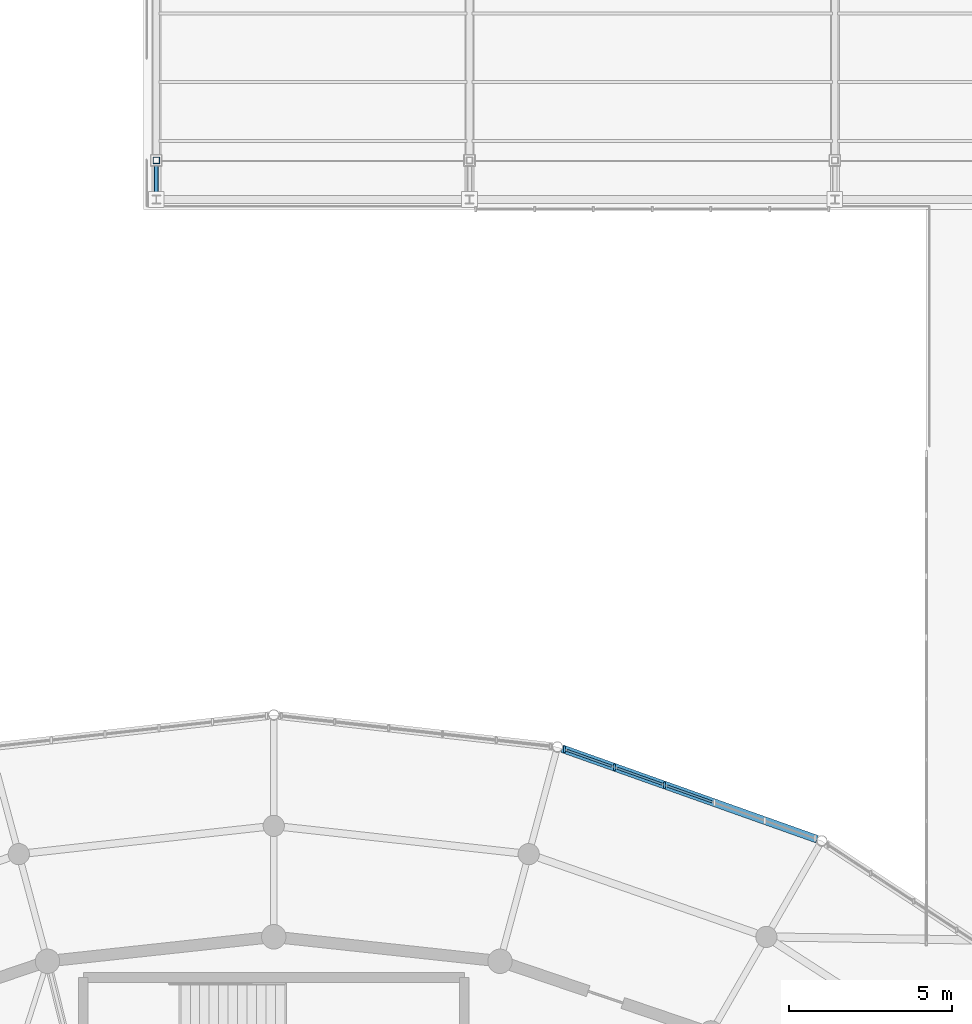
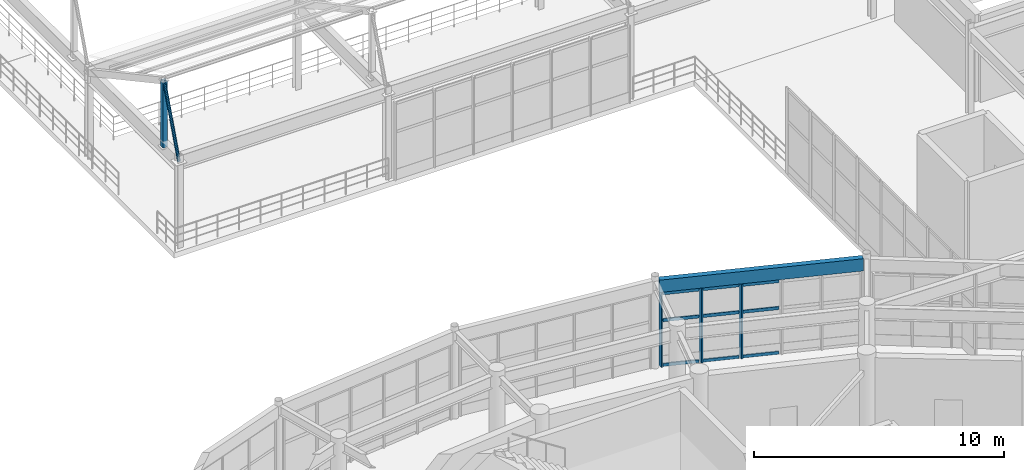
# One storey, part 53 of 112: 14 members, 1 beam, 1 element without a shape of its own.
"""IFC4 building model written with IfcOpenShell, lengths in metres."""

from ifc_helpers import new_model, si_unit, direction, frame, origin, origin_2d, place, context, subcontext, project, spatial, rectangle, hollow_rectangle, hollow_circle, extrude, material, material_profile, profile_set, type_object, element, aggregate, save


model = new_model("IFC4")

# Units and contexts
model_context = context("Model", 3, precision=1e-05, world=origin(), true_north=direction((0.0, 1.0)))
body_context = subcontext(model_context, "Body", "Model", "MODEL_VIEW")
ifc_project = project(units=[si_unit("LENGTHUNIT", "METRE"), si_unit("AREAUNIT", "SQUARE_METRE"), si_unit("VOLUMEUNIT", "CUBIC_METRE"), si_unit("PLANEANGLEUNIT", "RADIAN"), si_unit("MASSUNIT", "GRAM", prefix="KILO")], contexts=[model_context])

# Site, building, storey
site_placement = place(None, origin())
site = spatial("IfcSite", under=ifc_project, at=site_placement, CompositionType="ELEMENT")
building_placement = place(site_placement, origin())
building = spatial("IfcBuilding", under=site, at=building_placement, Name="Cinderbank Siding Concert Hall", CompositionType="ELEMENT")
storey_placement = place(building_placement, frame((0.0, 0.0, 10.199951171875)))
storey = spatial("IfcBuildingStorey", under=building, at=storey_placement, Name="L03", CompositionType="ELEMENT", Elevation=10.199951171875)

# Members
ifc_material_1 = material(Name="Structural steel hollow section AS/NZS 1163 Grade C350L0 (350 MPa)", Category="steel")
ifc_material_profile_1 = material_profile(ifc_material_1, hollow_circle(Radius=0.06982421875, WallThickness=0.00634765625, at=origin_2d()), Name="139.7x6.4CHS", Category="LoadBearing")
ifc_profile_set_1 = profile_set([ifc_material_profile_1], Name="Structural steel hollow section AS/NZS 1163 Grade C350L0 (350 MPa)")
member_type_1 = type_object("IfcMemberType", Name="BR-CHS139 139.7x6.4CHS Roof Truss", PredefinedType="BRACE", material=ifc_profile_set_1)
member_1_placement = place(storey_placement, frame((118.39990234375, 88.60009765625, 4.150146484375), z_axis=(0.0, 0.346361679598, 0.938101053675), x_axis=(-1.0, 0.0, 0.0)))
element("IfcMember", 1, at=member_1_placement, inside=storey, type_object=member_type_1, Name="L03 Diagonal Brace BR-CHS139 #V3DG-BR-CHS139-L03-2440", PredefinedType="BRACE", context=body_context, shape_type="SweptSolid", body=[
    extrude(hollow_circle(Radius=0.06982421875, WallThickness=0.00634765625, at=origin_2d()), origin(), (0.0, 0.0, 1.0), 3.46435546875),
])
ifc_material_profile_2 = material_profile(ifc_material_1, hollow_rectangle(XDim=0.199951171875, YDim=0.199951171875, WallThickness=0.009033203125, at=origin_2d()), Name="200x200x9.0SHS", Category="LoadBearing")
ifc_profile_set_2 = profile_set([ifc_material_profile_2], Name="Structural steel hollow section AS/NZS 1163 Grade C350L0 (350 MPa)")
member_type_2 = type_object("IfcMemberType", Name="BR-SHS200 200x200x9.0SHS Roof Truss", PredefinedType="BRACE", material=ifc_profile_set_2)
member_2_placement = place(storey_placement, frame((118.39990234375, 89.800048828125, 4.150146484375), z_axis=(0.0, 0.0, 1.0), x_axis=(1.0, 0.0, 0.0)))
element("IfcMember", 2, at=member_2_placement, inside=storey, type_object=member_type_2, Name="L03 Diagonal Brace BR-SHS200 #V3ST-BR-SHS200-L03-2439", PredefinedType="BRACE", context=body_context, shape_type="SweptSolid", body=[
    extrude(hollow_rectangle(XDim=0.199951171875, YDim=0.199951171875, WallThickness=0.009033203125, at=origin_2d()), origin(), (0.0, 0.0, 1.0), 3.25),
])

# Curtain wall, members
ifc_material_2 = material(Name="Anodised aluminium alloy 6063-T6", Category="aluminium")
curtain_wall_type = type_object("IfcCurtainWallType", Name="CW-05 Unitised Acoustic Curtain Wall 8200x3800", PredefinedType="NOTDEFINED", material=ifc_material_2)
curtain_wall_placement = place(storey_placement, origin())
curtain_wall = element("IfcCurtainWall", 3, at=curtain_wall_placement, inside=storey, type_object=curtain_wall_type, Name="L03 Curtain Wall CW-05 #29", PredefinedType="NOTDEFINED")
ifc_material_profile_3 = material_profile(ifc_material_2, rectangle(XDim=0.06494140625, YDim=0.199951171875, at=origin_2d()), Name="ALU-MULL-65x200", Category="LoadBearing")
ifc_profile_set_3 = profile_set([ifc_material_profile_3], Name="Anodised aluminium alloy 6063-T6")
member_type_3 = type_object("IfcMemberType", Name="CW-ML2 Mullion 65x200", PredefinedType="MULLION", material=ifc_profile_set_3)
member_3_placement = place(storey_placement, frame((133.980712890625, 70.652587890625, 0.0), z_axis=(0.0, 0.0, 1.0), x_axis=(1.0, 0.0, 0.0)))
member_3 = element("IfcMember", 4, at=member_3_placement, type_object=member_type_3, Name="CW-L03-029 Mullion 3", PredefinedType="MULLION", context=body_context, shape_type="SweptSolid", body=[
    extrude(rectangle(XDim=0.06494140625, YDim=0.199951171875, at=origin_2d()), origin(), (0.0, 0.0, 1.0), 3.616943359375),
])
member_4_placement = place(storey_placement, frame((132.4453125, 71.19775390625, 0.0), z_axis=(0.0, 0.0, 1.0), x_axis=(1.0, 0.0, 0.0)))
member_4 = element("IfcMember", 5, at=member_4_placement, type_object=member_type_3, Name="CW-L03-029 Mullion 4", PredefinedType="MULLION", context=body_context, shape_type="SweptSolid", body=[
    extrude(rectangle(XDim=0.06494140625, YDim=0.199951171875, at=origin_2d()), origin(), (0.0, 0.0, 1.0), 3.616943359375),
])
member_5_placement = place(storey_placement, frame((130.91015625, 71.742919921875, 0.0), z_axis=(0.0, 0.0, 1.0), x_axis=(1.0, 0.0, 0.0)))
member_5 = element("IfcMember", 6, at=member_5_placement, type_object=member_type_3, Name="CW-L03-029 Mullion 5", PredefinedType="MULLION", context=body_context, shape_type="SweptSolid", body=[
    extrude(rectangle(XDim=0.06494140625, YDim=0.199951171875, at=origin_2d()), origin(), (0.0, 0.0, 1.0), 3.616943359375),
])
ifc_material_profile_4 = material_profile(ifc_material_2, rectangle(XDim=0.06494140625, YDim=0.14990234375, at=origin_2d()), Name="ALU-TRAN-65x150", Category="LoadBearing")
ifc_profile_set_4 = profile_set([ifc_material_profile_4], Name="Anodised aluminium alloy 6063-T6")
member_type_4 = type_object("IfcMemberType", Name="CW-TR2 Transom 65x150", PredefinedType="USERDEFINED", material=ifc_profile_set_4)
member_6_placement = place(storey_placement, frame((135.43896484375, 70.134765625, 0.06005859375), z_axis=(-0.942324434865, 0.334700850694, 0.0), x_axis=(-0.334700850694, -0.942324434865, 0.0)))
member_6 = element("IfcMember", 7, at=member_6_placement, type_object=member_type_4, Name="CW-L03-029 Transom 2-0", ObjectType="TRANSOM", PredefinedType="USERDEFINED", context=body_context, shape_type="SweptSolid", body=[
    extrude(rectangle(XDim=0.06494140625, YDim=0.14990234375, at=origin_2d()), origin(), (0.0, 0.0, 1.0), 1.466064453125),
])
member_7_placement = place(storey_placement, frame((135.43896484375, 70.134765625, 2.242431640625), z_axis=(-0.942324434865, 0.334700850694, 0.0), x_axis=(-0.334700850694, -0.942324434865, 0.0)))
member_7 = element("IfcMember", 8, at=member_7_placement, type_object=member_type_4, Name="CW-L03-029 Transom 2-1", ObjectType="TRANSOM", PredefinedType="USERDEFINED", context=body_context, shape_type="SweptSolid", body=[
    extrude(rectangle(XDim=0.06494140625, YDim=0.14990234375, at=origin_2d()), origin(), (0.0, 0.0, 1.0), 1.466064453125),
])
member_8_placement = place(storey_placement, frame((135.43896484375, 70.134765625, 3.55712890625), z_axis=(-0.942324434865, 0.334700850694, 0.0), x_axis=(-0.334700850694, -0.942324434865, 0.0)))
member_8 = element("IfcMember", 9, at=member_8_placement, type_object=member_type_4, Name="CW-L03-029 Transom 2-2", ObjectType="TRANSOM", PredefinedType="USERDEFINED", context=body_context, shape_type="SweptSolid", body=[
    extrude(rectangle(XDim=0.06494140625, YDim=0.14990234375, at=origin_2d()), origin(), (0.0, 0.0, 1.0), 1.466064453125),
])
member_9_placement = place(storey_placement, frame((133.90380859375, 70.679931640625, 0.06005859375), z_axis=(-0.942376945381, 0.334552974602, 0.0), x_axis=(-0.334552974602, -0.942376945381, 0.0)))
member_9 = element("IfcMember", 10, at=member_9_placement, type_object=member_type_4, Name="CW-L03-029 Transom 3-0", ObjectType="TRANSOM", PredefinedType="USERDEFINED", context=body_context, shape_type="SweptSolid", body=[
    extrude(rectangle(XDim=0.06494140625, YDim=0.14990234375, at=origin_2d()), origin(), (0.0, 0.0, 1.0), 1.466064453125),
])
member_10_placement = place(storey_placement, frame((133.90380859375, 70.679931640625, 2.242431640625), z_axis=(-0.942376945381, 0.334552974602, 0.0), x_axis=(-0.334552974602, -0.942376945381, 0.0)))
member_10 = element("IfcMember", 11, at=member_10_placement, type_object=member_type_4, Name="CW-L03-029 Transom 3-1", ObjectType="TRANSOM", PredefinedType="USERDEFINED", context=body_context, shape_type="SweptSolid", body=[
    extrude(rectangle(XDim=0.06494140625, YDim=0.14990234375, at=origin_2d()), origin(), (0.0, 0.0, 1.0), 1.466064453125),
])
member_11_placement = place(storey_placement, frame((133.90380859375, 70.679931640625, 3.55712890625), z_axis=(-0.942376945381, 0.334552974602, 0.0), x_axis=(-0.334552974602, -0.942376945381, 0.0)))
member_11 = element("IfcMember", 12, at=member_11_placement, type_object=member_type_4, Name="CW-L03-029 Transom 3-2", ObjectType="TRANSOM", PredefinedType="USERDEFINED", context=body_context, shape_type="SweptSolid", body=[
    extrude(rectangle(XDim=0.06494140625, YDim=0.14990234375, at=origin_2d()), origin(), (0.0, 0.0, 1.0), 1.466064453125),
])
member_12_placement = place(storey_placement, frame((132.36865234375, 71.22509765625, 0.06005859375), z_axis=(-0.942395579657, 0.334500480482, 0.0), x_axis=(-0.334500480482, -0.942395579657, 0.0)))
member_12 = element("IfcMember", 13, at=member_12_placement, type_object=member_type_4, Name="CW-L03-029 Transom 4-0", ObjectType="TRANSOM", PredefinedType="USERDEFINED", context=body_context, shape_type="SweptSolid", body=[
    extrude(rectangle(XDim=0.06494140625, YDim=0.14990234375, at=origin_2d()), origin(), (0.0, 0.0, 1.0), 1.46630859375),
])
member_13_placement = place(storey_placement, frame((132.36865234375, 71.22509765625, 2.242431640625), z_axis=(-0.942395579657, 0.334500480482, 0.0), x_axis=(-0.334500480482, -0.942395579657, 0.0)))
member_13 = element("IfcMember", 14, at=member_13_placement, type_object=member_type_4, Name="CW-L03-029 Transom 4-1", ObjectType="TRANSOM", PredefinedType="USERDEFINED", context=body_context, shape_type="SweptSolid", body=[
    extrude(rectangle(XDim=0.06494140625, YDim=0.14990234375, at=origin_2d()), origin(), (0.0, 0.0, 1.0), 1.46630859375),
])
member_14_placement = place(storey_placement, frame((132.36865234375, 71.22509765625, 3.55712890625), z_axis=(-0.942395579657, 0.334500480482, 0.0), x_axis=(-0.334500480482, -0.942395579657, 0.0)))
member_14 = element("IfcMember", 15, at=member_14_placement, type_object=member_type_4, Name="CW-L03-029 Transom 4-2", ObjectType="TRANSOM", PredefinedType="USERDEFINED", context=body_context, shape_type="SweptSolid", body=[
    extrude(rectangle(XDim=0.06494140625, YDim=0.14990234375, at=origin_2d()), origin(), (0.0, 0.0, 1.0), 1.46630859375),
])
aggregate(curtain_wall, [member_3, member_4, member_5, member_6, member_7, member_8, member_9, member_10, member_11, member_12, member_13, member_14])

# Beam
ifc_material_3 = material(Name="Spotted gum glulam timber GL18 (42 MPa)", Category="wood")
ifc_material_profile_5 = material_profile(ifc_material_3, rectangle(XDim=0.239990234375, YDim=0.60009765625, at=origin_2d()), Name="GL18-240x600", Category="LoadBearing")
ifc_profile_set_5 = profile_set([ifc_material_profile_5], Name="Spotted gum glulam timber GL18 (42 MPa)")
beam_type = type_object("IfcBeamType", Name="SP-GL600 GL18-240x600", PredefinedType="SPANDREL", material=ifc_profile_set_5)
beam_placement = place(storey_placement, frame((138.65478515625, 68.992919921875, 3.98193359375), z_axis=(-0.942365164676, 0.334586156924, 0.0), x_axis=(-0.334586156924, -0.942365164676, 0.0)))
element("IfcBeam", 16, at=beam_placement, inside=storey, type_object=beam_type, Name="L03 Beam SP-GL600 #573", PredefinedType="SPANDREL", context=body_context, shape_type="SweptSolid", body=[
    extrude(rectangle(XDim=0.239990234375, YDim=0.60009765625, at=origin_2d()), origin(), (0.0, 0.0, 1.0), 8.291259765625),
])

save(model, "model.ifc")
